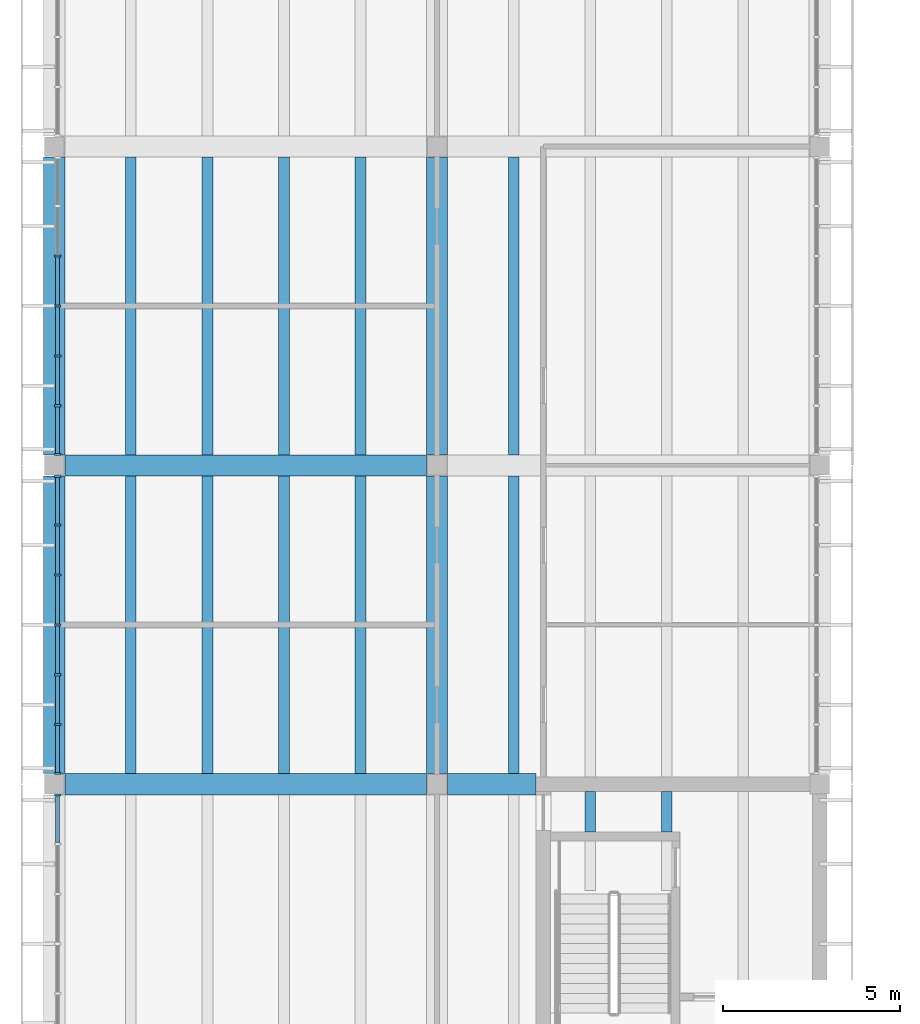
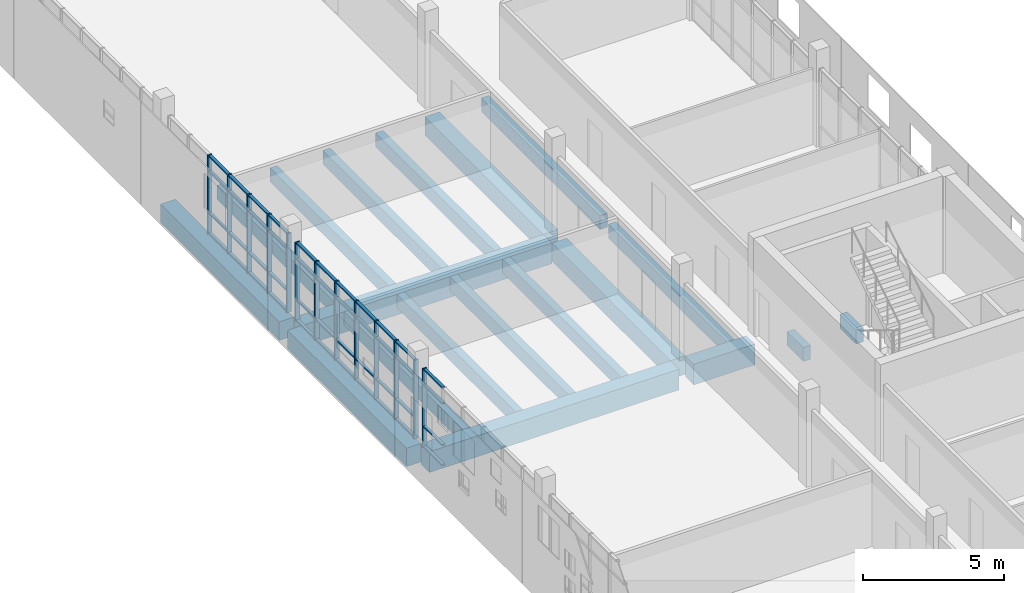
# One storey, part 17 of 74: 57 members, 19 beams, 3 elements without a shape of their own.
"""IFC4 building model written with IfcOpenShell, lengths in metres."""

from ifc_helpers import new_model, si_unit, direction, frame, origin, origin_2d, place, context, subcontext, project, spatial, rectangle, extrude, material, material_profile, profile_set, type_object, element, aggregate, save


model = new_model("IFC4")

# Units and contexts
model_context = context("Model", 3, precision=1e-05, world=origin(), true_north=direction((0.0, 1.0)))
body_context = subcontext(model_context, "Body", "Model", "MODEL_VIEW")
ifc_project = project(units=[si_unit("LENGTHUNIT", "METRE"), si_unit("AREAUNIT", "SQUARE_METRE"), si_unit("VOLUMEUNIT", "CUBIC_METRE"), si_unit("PLANEANGLEUNIT", "RADIAN"), si_unit("MASSUNIT", "GRAM", prefix="KILO")], contexts=[model_context])

# Site, building, storey
site_placement = place(None, origin())
site = spatial("IfcSite", under=ifc_project, at=site_placement, CompositionType="ELEMENT")
building_placement = place(site_placement, origin())
building = spatial("IfcBuilding", under=site, at=building_placement, Name="Merrow Basin Faculty of Sciences", CompositionType="ELEMENT")
storey_placement = place(building_placement, frame((0.0, 0.0, 13.5)))
storey = spatial("IfcBuildingStorey", under=building, at=storey_placement, Name="L03", CompositionType="ELEMENT", Elevation=13.5)

# Curtain wall, member
ifc_material_1 = material(Name="Aluminium alloy 6063", Category="aluminium")
curtain_wall_type = type_object("IfcCurtainWallType", Name="Bar unitised curtain wall 180", PredefinedType="NOTDEFINED", material=ifc_material_1)
curtain_wall_1_placement = place(storey_placement, origin())
curtain_wall_1 = element("IfcCurtainWall", 1, at=curtain_wall_1_placement, inside=storey, type_object=curtain_wall_type, Name="West curtain wall L03 3", PredefinedType="NOTDEFINED")
ifc_material_2 = material(Name="Aluminium alloy 6063", Category="aluminium")
ifc_material_profile_1 = material_profile(ifc_material_2, rectangle(XDim=0.179931640625, YDim=0.06005859375, at=origin_2d()))
ifc_profile_set_1 = profile_set([ifc_material_profile_1], Name="Aluminium alloy 6063")
member_type_1 = type_object("IfcMemberType", Name="Aluminium mullion 60x180", PredefinedType="MULLION", material=ifc_profile_set_1)
member_1_placement = place(storey_placement, frame((0.090087890625, 96.695068359375, 0.0), z_axis=(0.0, 0.0, 1.0), x_axis=(-1.0, 0.0, 0.0)))
member_1 = element("IfcMember", 2, at=member_1_placement, type_object=member_type_1, Name="CW1 mullion 7", PredefinedType="MULLION", context=body_context, shape_type="SweptSolid", body=[
    extrude(rectangle(XDim=0.179931640625, YDim=0.06005859375, at=origin_2d()), origin(), (0.0, 0.0, 1.0), 3.39990234375),
])

# Curtain wall, members
curtain_wall_2_placement = place(storey_placement, origin())
curtain_wall_2 = element("IfcCurtainWall", 3, at=curtain_wall_2_placement, inside=storey, type_object=curtain_wall_type, Name="West curtain wall L03 4", PredefinedType="NOTDEFINED")
member_2_placement = place(storey_placement, frame((0.090087890625, 97.304931640625, 0.0), z_axis=(0.0, 0.0, 1.0), x_axis=(-1.0, 0.0, 0.0)))
member_2 = element("IfcMember", 4, at=member_2_placement, type_object=member_type_1, Name="CW1 mullion 1", PredefinedType="MULLION", context=body_context, shape_type="SweptSolid", body=[
    extrude(rectangle(XDim=0.179931640625, YDim=0.06005859375, at=origin_2d()), origin(), (0.0, 0.0, 1.0), 3.39990234375),
])
member_3_placement = place(storey_placement, frame((0.090087890625, 98.683349609375, 0.0), z_axis=(0.0, 0.0, 1.0), x_axis=(-1.0, 0.0, 0.0)))
member_3 = element("IfcMember", 5, at=member_3_placement, type_object=member_type_1, Name="CW1 mullion 2", PredefinedType="MULLION", context=body_context, shape_type="SweptSolid", body=[
    extrude(rectangle(XDim=0.179931640625, YDim=0.06005859375, at=origin_2d()), origin(), (0.0, 0.0, 1.0), 3.39990234375),
])
member_4_placement = place(storey_placement, frame((0.090087890625, 100.091552734375, 0.0), z_axis=(0.0, 0.0, 1.0), x_axis=(-1.0, 0.0, 0.0)))
member_4 = element("IfcMember", 6, at=member_4_placement, type_object=member_type_1, Name="CW1 mullion 3", PredefinedType="MULLION", context=body_context, shape_type="SweptSolid", body=[
    extrude(rectangle(XDim=0.179931640625, YDim=0.06005859375, at=origin_2d()), origin(), (0.0, 0.0, 1.0), 3.39990234375),
])
member_5_placement = place(storey_placement, frame((0.090087890625, 101.5, 0.0), z_axis=(0.0, 0.0, 1.0), x_axis=(-1.0, 0.0, 0.0)))
member_5 = element("IfcMember", 7, at=member_5_placement, type_object=member_type_1, Name="CW1 mullion 4", PredefinedType="MULLION", context=body_context, shape_type="SweptSolid", body=[
    extrude(rectangle(XDim=0.179931640625, YDim=0.06005859375, at=origin_2d()), origin(), (0.0, 0.0, 1.0), 3.39990234375),
])
member_6_placement = place(storey_placement, frame((0.090087890625, 102.908447265625, 0.0), z_axis=(0.0, 0.0, 1.0), x_axis=(-1.0, 0.0, 0.0)))
member_6 = element("IfcMember", 8, at=member_6_placement, type_object=member_type_1, Name="CW1 mullion 5", PredefinedType="MULLION", context=body_context, shape_type="SweptSolid", body=[
    extrude(rectangle(XDim=0.179931640625, YDim=0.06005859375, at=origin_2d()), origin(), (0.0, 0.0, 1.0), 3.39990234375),
])
member_7_placement = place(storey_placement, frame((0.090087890625, 104.316650390625, 0.0), z_axis=(0.0, 0.0, 1.0), x_axis=(-1.0, 0.0, 0.0)))
member_7 = element("IfcMember", 9, at=member_7_placement, type_object=member_type_1, Name="CW1 mullion 6", PredefinedType="MULLION", context=body_context, shape_type="SweptSolid", body=[
    extrude(rectangle(XDim=0.179931640625, YDim=0.06005859375, at=origin_2d()), origin(), (0.0, 0.0, 1.0), 3.39990234375),
])
member_8_placement = place(storey_placement, frame((0.090087890625, 105.695068359375, 0.0), z_axis=(0.0, 0.0, 1.0), x_axis=(-1.0, 0.0, 0.0)))
member_8 = element("IfcMember", 10, at=member_8_placement, type_object=member_type_1, Name="CW1 mullion 7", PredefinedType="MULLION", context=body_context, shape_type="SweptSolid", body=[
    extrude(rectangle(XDim=0.179931640625, YDim=0.06005859375, at=origin_2d()), origin(), (0.0, 0.0, 1.0), 3.39990234375),
])

curtain_wall_3_placement = place(storey_placement, origin())
curtain_wall_3 = element("IfcCurtainWall", 11, at=curtain_wall_3_placement, inside=storey, type_object=curtain_wall_type, Name="West curtain wall L03 5", PredefinedType="NOTDEFINED")
member_9_placement = place(storey_placement, frame((0.090087890625, 106.304931640625, 0.0), z_axis=(0.0, 0.0, 1.0), x_axis=(-1.0, 0.0, 0.0)))
member_9 = element("IfcMember", 12, at=member_9_placement, type_object=member_type_1, Name="CW1 mullion 1", PredefinedType="MULLION", context=body_context, shape_type="SweptSolid", body=[
    extrude(rectangle(XDim=0.179931640625, YDim=0.06005859375, at=origin_2d()), origin(), (0.0, 0.0, 1.0), 3.39990234375),
])
member_10_placement = place(storey_placement, frame((0.090087890625, 107.683349609375, 0.0), z_axis=(0.0, 0.0, 1.0), x_axis=(-1.0, 0.0, 0.0)))
member_10 = element("IfcMember", 13, at=member_10_placement, type_object=member_type_1, Name="CW1 mullion 2", PredefinedType="MULLION", context=body_context, shape_type="SweptSolid", body=[
    extrude(rectangle(XDim=0.179931640625, YDim=0.06005859375, at=origin_2d()), origin(), (0.0, 0.0, 1.0), 3.39990234375),
])
member_11_placement = place(storey_placement, frame((0.090087890625, 109.091552734375, 0.0), z_axis=(0.0, 0.0, 1.0), x_axis=(-1.0, 0.0, 0.0)))
member_11 = element("IfcMember", 14, at=member_11_placement, type_object=member_type_1, Name="CW1 mullion 3", PredefinedType="MULLION", context=body_context, shape_type="SweptSolid", body=[
    extrude(rectangle(XDim=0.179931640625, YDim=0.06005859375, at=origin_2d()), origin(), (0.0, 0.0, 1.0), 3.39990234375),
])
member_12_placement = place(storey_placement, frame((0.090087890625, 110.5, 0.0), z_axis=(0.0, 0.0, 1.0), x_axis=(-1.0, 0.0, 0.0)))
member_12 = element("IfcMember", 15, at=member_12_placement, type_object=member_type_1, Name="CW1 mullion 4", PredefinedType="MULLION", context=body_context, shape_type="SweptSolid", body=[
    extrude(rectangle(XDim=0.179931640625, YDim=0.06005859375, at=origin_2d()), origin(), (0.0, 0.0, 1.0), 3.39990234375),
])
member_13_placement = place(storey_placement, frame((0.090087890625, 111.908447265625, 0.0), z_axis=(0.0, 0.0, 1.0), x_axis=(-1.0, 0.0, 0.0)))
member_13 = element("IfcMember", 16, at=member_13_placement, type_object=member_type_1, Name="CW1 mullion 5", PredefinedType="MULLION", context=body_context, shape_type="SweptSolid", body=[
    extrude(rectangle(XDim=0.179931640625, YDim=0.06005859375, at=origin_2d()), origin(), (0.0, 0.0, 1.0), 3.39990234375),
])

# Member
ifc_material_3 = material(Name="Aluminium alloy 6063", Category="aluminium")
ifc_material_profile_2 = material_profile(ifc_material_3, rectangle(XDim=0.1201171875, YDim=0.06005859375, at=origin_2d()))
ifc_profile_set_2 = profile_set([ifc_material_profile_2], Name="Aluminium alloy 6063")
member_type_2 = type_object("IfcMemberType", Name="Aluminium transom 60x120", PredefinedType="USERDEFINED", material=ifc_profile_set_2)
member_14_placement = place(storey_placement, frame((0.090087890625, 95.3466796875, 0.030029296875), z_axis=(0.0, 1.0, 0.0), x_axis=(-1.0, 0.0, 0.0)))
member_14 = element("IfcMember", 17, at=member_14_placement, type_object=member_type_2, Name="CW1 transom 6.1", ObjectType="TRANSOM", PredefinedType="USERDEFINED", context=body_context, shape_type="SweptSolid", body=[
    extrude(rectangle(XDim=0.1201171875, YDim=0.06005859375, at=origin_2d()), origin(), (0.0, 0.0, 1.0), 1.318359375),
])

member_15_placement = place(storey_placement, frame((0.090087890625, 95.3466796875, 0.89990234375), z_axis=(0.0, 1.0, 0.0), x_axis=(-1.0, 0.0, 0.0)))
member_15 = element("IfcMember", 18, at=member_15_placement, type_object=member_type_2, Name="CW1 transom 6.2", ObjectType="TRANSOM", PredefinedType="USERDEFINED", context=body_context, shape_type="SweptSolid", body=[
    extrude(rectangle(XDim=0.1201171875, YDim=0.06005859375, at=origin_2d()), origin(), (0.0, 0.0, 1.0), 1.318359375),
])

member_16_placement = place(storey_placement, frame((0.090087890625, 95.3466796875, 2.699951171875), z_axis=(0.0, 1.0, 0.0), x_axis=(-1.0, 0.0, 0.0)))
member_16 = element("IfcMember", 19, at=member_16_placement, type_object=member_type_2, Name="CW1 transom 6.3", ObjectType="TRANSOM", PredefinedType="USERDEFINED", context=body_context, shape_type="SweptSolid", body=[
    extrude(rectangle(XDim=0.1201171875, YDim=0.06005859375, at=origin_2d()), origin(), (0.0, 0.0, 1.0), 1.318359375),
])

member_17_placement = place(storey_placement, frame((0.090087890625, 95.3466796875, 3.3701171875), z_axis=(0.0, 1.0, 0.0), x_axis=(-1.0, 0.0, 0.0)))
member_17 = element("IfcMember", 20, at=member_17_placement, type_object=member_type_2, Name="CW1 transom 6.4", ObjectType="TRANSOM", PredefinedType="USERDEFINED", context=body_context, shape_type="SweptSolid", body=[
    extrude(rectangle(XDim=0.1201171875, YDim=0.06005859375, at=origin_2d()), origin(), (0.0, 0.0, 1.0), 1.318359375),
])

aggregate(curtain_wall_1, [member_1, member_14, member_15, member_16, member_17])

member_18_placement = place(storey_placement, frame((0.090087890625, 97.3349609375, 0.030029296875), z_axis=(0.0, 1.0, 0.0), x_axis=(-1.0, 0.0, 0.0)))
member_18 = element("IfcMember", 21, at=member_18_placement, type_object=member_type_2, Name="CW1 transom 1.1", ObjectType="TRANSOM", PredefinedType="USERDEFINED", context=body_context, shape_type="SweptSolid", body=[
    extrude(rectangle(XDim=0.1201171875, YDim=0.06005859375, at=origin_2d()), origin(), (0.0, 0.0, 1.0), 1.318359375),
])

member_19_placement = place(storey_placement, frame((0.090087890625, 97.3349609375, 0.89990234375), z_axis=(0.0, 1.0, 0.0), x_axis=(-1.0, 0.0, 0.0)))
member_19 = element("IfcMember", 22, at=member_19_placement, type_object=member_type_2, Name="CW1 transom 1.2", ObjectType="TRANSOM", PredefinedType="USERDEFINED", context=body_context, shape_type="SweptSolid", body=[
    extrude(rectangle(XDim=0.1201171875, YDim=0.06005859375, at=origin_2d()), origin(), (0.0, 0.0, 1.0), 1.318359375),
])

member_20_placement = place(storey_placement, frame((0.090087890625, 97.3349609375, 2.699951171875), z_axis=(0.0, 1.0, 0.0), x_axis=(-1.0, 0.0, 0.0)))
member_20 = element("IfcMember", 23, at=member_20_placement, type_object=member_type_2, Name="CW1 transom 1.3", ObjectType="TRANSOM", PredefinedType="USERDEFINED", context=body_context, shape_type="SweptSolid", body=[
    extrude(rectangle(XDim=0.1201171875, YDim=0.06005859375, at=origin_2d()), origin(), (0.0, 0.0, 1.0), 1.318359375),
])

member_21_placement = place(storey_placement, frame((0.090087890625, 97.3349609375, 3.3701171875), z_axis=(0.0, 1.0, 0.0), x_axis=(-1.0, 0.0, 0.0)))
member_21 = element("IfcMember", 24, at=member_21_placement, type_object=member_type_2, Name="CW1 transom 1.4", ObjectType="TRANSOM", PredefinedType="USERDEFINED", context=body_context, shape_type="SweptSolid", body=[
    extrude(rectangle(XDim=0.1201171875, YDim=0.06005859375, at=origin_2d()), origin(), (0.0, 0.0, 1.0), 1.318359375),
])

member_22_placement = place(storey_placement, frame((0.090087890625, 98.71337890625, 0.030029296875), z_axis=(0.0, 1.0, 0.0), x_axis=(-1.0, 0.0, 0.0)))
member_22 = element("IfcMember", 25, at=member_22_placement, type_object=member_type_2, Name="CW1 transom 2.1", ObjectType="TRANSOM", PredefinedType="USERDEFINED", context=body_context, shape_type="SweptSolid", body=[
    extrude(rectangle(XDim=0.1201171875, YDim=0.06005859375, at=origin_2d()), origin(), (0.0, 0.0, 1.0), 1.348388671875),
])

member_23_placement = place(storey_placement, frame((0.090087890625, 98.71337890625, 0.89990234375), z_axis=(0.0, 1.0, 0.0), x_axis=(-1.0, 0.0, 0.0)))
member_23 = element("IfcMember", 26, at=member_23_placement, type_object=member_type_2, Name="CW1 transom 2.2", ObjectType="TRANSOM", PredefinedType="USERDEFINED", context=body_context, shape_type="SweptSolid", body=[
    extrude(rectangle(XDim=0.1201171875, YDim=0.06005859375, at=origin_2d()), origin(), (0.0, 0.0, 1.0), 1.348388671875),
])

member_24_placement = place(storey_placement, frame((0.090087890625, 98.71337890625, 2.699951171875), z_axis=(0.0, 1.0, 0.0), x_axis=(-1.0, 0.0, 0.0)))
member_24 = element("IfcMember", 27, at=member_24_placement, type_object=member_type_2, Name="CW1 transom 2.3", ObjectType="TRANSOM", PredefinedType="USERDEFINED", context=body_context, shape_type="SweptSolid", body=[
    extrude(rectangle(XDim=0.1201171875, YDim=0.06005859375, at=origin_2d()), origin(), (0.0, 0.0, 1.0), 1.348388671875),
])

member_25_placement = place(storey_placement, frame((0.090087890625, 98.71337890625, 3.3701171875), z_axis=(0.0, 1.0, 0.0), x_axis=(-1.0, 0.0, 0.0)))
member_25 = element("IfcMember", 28, at=member_25_placement, type_object=member_type_2, Name="CW1 transom 2.4", ObjectType="TRANSOM", PredefinedType="USERDEFINED", context=body_context, shape_type="SweptSolid", body=[
    extrude(rectangle(XDim=0.1201171875, YDim=0.06005859375, at=origin_2d()), origin(), (0.0, 0.0, 1.0), 1.348388671875),
])

member_26_placement = place(storey_placement, frame((0.090087890625, 100.12158203125, 0.030029296875), z_axis=(0.0, 1.0, 0.0), x_axis=(-1.0, 0.0, 0.0)))
member_26 = element("IfcMember", 29, at=member_26_placement, type_object=member_type_2, Name="CW1 transom 3.1", ObjectType="TRANSOM", PredefinedType="USERDEFINED", context=body_context, shape_type="SweptSolid", body=[
    extrude(rectangle(XDim=0.1201171875, YDim=0.06005859375, at=origin_2d()), origin(), (0.0, 0.0, 1.0), 1.348388671875),
])

member_27_placement = place(storey_placement, frame((0.090087890625, 100.12158203125, 0.89990234375), z_axis=(0.0, 1.0, 0.0), x_axis=(-1.0, 0.0, 0.0)))
member_27 = element("IfcMember", 30, at=member_27_placement, type_object=member_type_2, Name="CW1 transom 3.2", ObjectType="TRANSOM", PredefinedType="USERDEFINED", context=body_context, shape_type="SweptSolid", body=[
    extrude(rectangle(XDim=0.1201171875, YDim=0.06005859375, at=origin_2d()), origin(), (0.0, 0.0, 1.0), 1.348388671875),
])

member_28_placement = place(storey_placement, frame((0.090087890625, 100.12158203125, 2.699951171875), z_axis=(0.0, 1.0, 0.0), x_axis=(-1.0, 0.0, 0.0)))
member_28 = element("IfcMember", 31, at=member_28_placement, type_object=member_type_2, Name="CW1 transom 3.3", ObjectType="TRANSOM", PredefinedType="USERDEFINED", context=body_context, shape_type="SweptSolid", body=[
    extrude(rectangle(XDim=0.1201171875, YDim=0.06005859375, at=origin_2d()), origin(), (0.0, 0.0, 1.0), 1.348388671875),
])

member_29_placement = place(storey_placement, frame((0.090087890625, 100.12158203125, 3.3701171875), z_axis=(0.0, 1.0, 0.0), x_axis=(-1.0, 0.0, 0.0)))
member_29 = element("IfcMember", 32, at=member_29_placement, type_object=member_type_2, Name="CW1 transom 3.4", ObjectType="TRANSOM", PredefinedType="USERDEFINED", context=body_context, shape_type="SweptSolid", body=[
    extrude(rectangle(XDim=0.1201171875, YDim=0.06005859375, at=origin_2d()), origin(), (0.0, 0.0, 1.0), 1.348388671875),
])

member_30_placement = place(storey_placement, frame((0.090087890625, 101.530029296875, 0.030029296875), z_axis=(0.0, 1.0, 0.0), x_axis=(-1.0, 0.0, 0.0)))
member_30 = element("IfcMember", 33, at=member_30_placement, type_object=member_type_2, Name="CW1 transom 4.1", ObjectType="TRANSOM", PredefinedType="USERDEFINED", context=body_context, shape_type="SweptSolid", body=[
    extrude(rectangle(XDim=0.1201171875, YDim=0.06005859375, at=origin_2d()), origin(), (0.0, 0.0, 1.0), 1.348388671875),
])

member_31_placement = place(storey_placement, frame((0.090087890625, 101.530029296875, 0.89990234375), z_axis=(0.0, 1.0, 0.0), x_axis=(-1.0, 0.0, 0.0)))
member_31 = element("IfcMember", 34, at=member_31_placement, type_object=member_type_2, Name="CW1 transom 4.2", ObjectType="TRANSOM", PredefinedType="USERDEFINED", context=body_context, shape_type="SweptSolid", body=[
    extrude(rectangle(XDim=0.1201171875, YDim=0.06005859375, at=origin_2d()), origin(), (0.0, 0.0, 1.0), 1.348388671875),
])

member_32_placement = place(storey_placement, frame((0.090087890625, 101.530029296875, 2.699951171875), z_axis=(0.0, 1.0, 0.0), x_axis=(-1.0, 0.0, 0.0)))
member_32 = element("IfcMember", 35, at=member_32_placement, type_object=member_type_2, Name="CW1 transom 4.3", ObjectType="TRANSOM", PredefinedType="USERDEFINED", context=body_context, shape_type="SweptSolid", body=[
    extrude(rectangle(XDim=0.1201171875, YDim=0.06005859375, at=origin_2d()), origin(), (0.0, 0.0, 1.0), 1.348388671875),
])

member_33_placement = place(storey_placement, frame((0.090087890625, 101.530029296875, 3.3701171875), z_axis=(0.0, 1.0, 0.0), x_axis=(-1.0, 0.0, 0.0)))
member_33 = element("IfcMember", 36, at=member_33_placement, type_object=member_type_2, Name="CW1 transom 4.4", ObjectType="TRANSOM", PredefinedType="USERDEFINED", context=body_context, shape_type="SweptSolid", body=[
    extrude(rectangle(XDim=0.1201171875, YDim=0.06005859375, at=origin_2d()), origin(), (0.0, 0.0, 1.0), 1.348388671875),
])

member_34_placement = place(storey_placement, frame((0.090087890625, 102.938232421875, 0.030029296875), z_axis=(0.0, 1.0, 0.0), x_axis=(-1.0, 0.0, 0.0)))
member_34 = element("IfcMember", 37, at=member_34_placement, type_object=member_type_2, Name="CW1 transom 5.1", ObjectType="TRANSOM", PredefinedType="USERDEFINED", context=body_context, shape_type="SweptSolid", body=[
    extrude(rectangle(XDim=0.1201171875, YDim=0.06005859375, at=origin_2d()), origin(), (0.0, 0.0, 1.0), 1.348388671875),
])

member_35_placement = place(storey_placement, frame((0.090087890625, 102.938232421875, 0.89990234375), z_axis=(0.0, 1.0, 0.0), x_axis=(-1.0, 0.0, 0.0)))
member_35 = element("IfcMember", 38, at=member_35_placement, type_object=member_type_2, Name="CW1 transom 5.2", ObjectType="TRANSOM", PredefinedType="USERDEFINED", context=body_context, shape_type="SweptSolid", body=[
    extrude(rectangle(XDim=0.1201171875, YDim=0.06005859375, at=origin_2d()), origin(), (0.0, 0.0, 1.0), 1.348388671875),
])

member_36_placement = place(storey_placement, frame((0.090087890625, 102.938232421875, 2.699951171875), z_axis=(0.0, 1.0, 0.0), x_axis=(-1.0, 0.0, 0.0)))
member_36 = element("IfcMember", 39, at=member_36_placement, type_object=member_type_2, Name="CW1 transom 5.3", ObjectType="TRANSOM", PredefinedType="USERDEFINED", context=body_context, shape_type="SweptSolid", body=[
    extrude(rectangle(XDim=0.1201171875, YDim=0.06005859375, at=origin_2d()), origin(), (0.0, 0.0, 1.0), 1.348388671875),
])

member_37_placement = place(storey_placement, frame((0.090087890625, 102.938232421875, 3.3701171875), z_axis=(0.0, 1.0, 0.0), x_axis=(-1.0, 0.0, 0.0)))
member_37 = element("IfcMember", 40, at=member_37_placement, type_object=member_type_2, Name="CW1 transom 5.4", ObjectType="TRANSOM", PredefinedType="USERDEFINED", context=body_context, shape_type="SweptSolid", body=[
    extrude(rectangle(XDim=0.1201171875, YDim=0.06005859375, at=origin_2d()), origin(), (0.0, 0.0, 1.0), 1.348388671875),
])

member_38_placement = place(storey_placement, frame((0.090087890625, 104.3466796875, 0.030029296875), z_axis=(0.0, 1.0, 0.0), x_axis=(-1.0, 0.0, 0.0)))
member_38 = element("IfcMember", 41, at=member_38_placement, type_object=member_type_2, Name="CW1 transom 6.1", ObjectType="TRANSOM", PredefinedType="USERDEFINED", context=body_context, shape_type="SweptSolid", body=[
    extrude(rectangle(XDim=0.1201171875, YDim=0.06005859375, at=origin_2d()), origin(), (0.0, 0.0, 1.0), 1.318359375),
])

member_39_placement = place(storey_placement, frame((0.090087890625, 104.3466796875, 0.89990234375), z_axis=(0.0, 1.0, 0.0), x_axis=(-1.0, 0.0, 0.0)))
member_39 = element("IfcMember", 42, at=member_39_placement, type_object=member_type_2, Name="CW1 transom 6.2", ObjectType="TRANSOM", PredefinedType="USERDEFINED", context=body_context, shape_type="SweptSolid", body=[
    extrude(rectangle(XDim=0.1201171875, YDim=0.06005859375, at=origin_2d()), origin(), (0.0, 0.0, 1.0), 1.318359375),
])

member_40_placement = place(storey_placement, frame((0.090087890625, 104.3466796875, 2.699951171875), z_axis=(0.0, 1.0, 0.0), x_axis=(-1.0, 0.0, 0.0)))
member_40 = element("IfcMember", 43, at=member_40_placement, type_object=member_type_2, Name="CW1 transom 6.3", ObjectType="TRANSOM", PredefinedType="USERDEFINED", context=body_context, shape_type="SweptSolid", body=[
    extrude(rectangle(XDim=0.1201171875, YDim=0.06005859375, at=origin_2d()), origin(), (0.0, 0.0, 1.0), 1.318359375),
])

member_41_placement = place(storey_placement, frame((0.090087890625, 104.3466796875, 3.3701171875), z_axis=(0.0, 1.0, 0.0), x_axis=(-1.0, 0.0, 0.0)))
member_41 = element("IfcMember", 44, at=member_41_placement, type_object=member_type_2, Name="CW1 transom 6.4", ObjectType="TRANSOM", PredefinedType="USERDEFINED", context=body_context, shape_type="SweptSolid", body=[
    extrude(rectangle(XDim=0.1201171875, YDim=0.06005859375, at=origin_2d()), origin(), (0.0, 0.0, 1.0), 1.318359375),
])

aggregate(curtain_wall_2, [member_2, member_3, member_4, member_5, member_6, member_7, member_8, member_18, member_19, member_20, member_21, member_22, member_23, member_24, member_25, member_26, member_27, member_28, member_29, member_30, member_31, member_32, member_33, member_34, member_35, member_36, member_37, member_38, member_39, member_40, member_41])

member_42_placement = place(storey_placement, frame((0.090087890625, 106.3349609375, 0.030029296875), z_axis=(0.0, 1.0, 0.0), x_axis=(-1.0, 0.0, 0.0)))
member_42 = element("IfcMember", 45, at=member_42_placement, type_object=member_type_2, Name="CW1 transom 1.1", ObjectType="TRANSOM", PredefinedType="USERDEFINED", context=body_context, shape_type="SweptSolid", body=[
    extrude(rectangle(XDim=0.1201171875, YDim=0.06005859375, at=origin_2d()), origin(), (0.0, 0.0, 1.0), 1.318359375),
])

member_43_placement = place(storey_placement, frame((0.090087890625, 106.3349609375, 0.89990234375), z_axis=(0.0, 1.0, 0.0), x_axis=(-1.0, 0.0, 0.0)))
member_43 = element("IfcMember", 46, at=member_43_placement, type_object=member_type_2, Name="CW1 transom 1.2", ObjectType="TRANSOM", PredefinedType="USERDEFINED", context=body_context, shape_type="SweptSolid", body=[
    extrude(rectangle(XDim=0.1201171875, YDim=0.06005859375, at=origin_2d()), origin(), (0.0, 0.0, 1.0), 1.318359375),
])

member_44_placement = place(storey_placement, frame((0.090087890625, 106.3349609375, 2.699951171875), z_axis=(0.0, 1.0, 0.0), x_axis=(-1.0, 0.0, 0.0)))
member_44 = element("IfcMember", 47, at=member_44_placement, type_object=member_type_2, Name="CW1 transom 1.3", ObjectType="TRANSOM", PredefinedType="USERDEFINED", context=body_context, shape_type="SweptSolid", body=[
    extrude(rectangle(XDim=0.1201171875, YDim=0.06005859375, at=origin_2d()), origin(), (0.0, 0.0, 1.0), 1.318359375),
])

member_45_placement = place(storey_placement, frame((0.090087890625, 106.3349609375, 3.3701171875), z_axis=(0.0, 1.0, 0.0), x_axis=(-1.0, 0.0, 0.0)))
member_45 = element("IfcMember", 48, at=member_45_placement, type_object=member_type_2, Name="CW1 transom 1.4", ObjectType="TRANSOM", PredefinedType="USERDEFINED", context=body_context, shape_type="SweptSolid", body=[
    extrude(rectangle(XDim=0.1201171875, YDim=0.06005859375, at=origin_2d()), origin(), (0.0, 0.0, 1.0), 1.318359375),
])

member_46_placement = place(storey_placement, frame((0.090087890625, 107.71337890625, 0.030029296875), z_axis=(0.0, 1.0, 0.0), x_axis=(-1.0, 0.0, 0.0)))
member_46 = element("IfcMember", 49, at=member_46_placement, type_object=member_type_2, Name="CW1 transom 2.1", ObjectType="TRANSOM", PredefinedType="USERDEFINED", context=body_context, shape_type="SweptSolid", body=[
    extrude(rectangle(XDim=0.1201171875, YDim=0.06005859375, at=origin_2d()), origin(), (0.0, 0.0, 1.0), 1.348388671875),
])

member_47_placement = place(storey_placement, frame((0.090087890625, 107.71337890625, 0.89990234375), z_axis=(0.0, 1.0, 0.0), x_axis=(-1.0, 0.0, 0.0)))
member_47 = element("IfcMember", 50, at=member_47_placement, type_object=member_type_2, Name="CW1 transom 2.2", ObjectType="TRANSOM", PredefinedType="USERDEFINED", context=body_context, shape_type="SweptSolid", body=[
    extrude(rectangle(XDim=0.1201171875, YDim=0.06005859375, at=origin_2d()), origin(), (0.0, 0.0, 1.0), 1.348388671875),
])

member_48_placement = place(storey_placement, frame((0.090087890625, 107.71337890625, 2.699951171875), z_axis=(0.0, 1.0, 0.0), x_axis=(-1.0, 0.0, 0.0)))
member_48 = element("IfcMember", 51, at=member_48_placement, type_object=member_type_2, Name="CW1 transom 2.3", ObjectType="TRANSOM", PredefinedType="USERDEFINED", context=body_context, shape_type="SweptSolid", body=[
    extrude(rectangle(XDim=0.1201171875, YDim=0.06005859375, at=origin_2d()), origin(), (0.0, 0.0, 1.0), 1.348388671875),
])

member_49_placement = place(storey_placement, frame((0.090087890625, 107.71337890625, 3.3701171875), z_axis=(0.0, 1.0, 0.0), x_axis=(-1.0, 0.0, 0.0)))
member_49 = element("IfcMember", 52, at=member_49_placement, type_object=member_type_2, Name="CW1 transom 2.4", ObjectType="TRANSOM", PredefinedType="USERDEFINED", context=body_context, shape_type="SweptSolid", body=[
    extrude(rectangle(XDim=0.1201171875, YDim=0.06005859375, at=origin_2d()), origin(), (0.0, 0.0, 1.0), 1.348388671875),
])

member_50_placement = place(storey_placement, frame((0.090087890625, 109.12158203125, 0.030029296875), z_axis=(0.0, 1.0, 0.0), x_axis=(-1.0, 0.0, 0.0)))
member_50 = element("IfcMember", 53, at=member_50_placement, type_object=member_type_2, Name="CW1 transom 3.1", ObjectType="TRANSOM", PredefinedType="USERDEFINED", context=body_context, shape_type="SweptSolid", body=[
    extrude(rectangle(XDim=0.1201171875, YDim=0.06005859375, at=origin_2d()), origin(), (0.0, 0.0, 1.0), 1.348388671875),
])

member_51_placement = place(storey_placement, frame((0.090087890625, 109.12158203125, 0.89990234375), z_axis=(0.0, 1.0, 0.0), x_axis=(-1.0, 0.0, 0.0)))
member_51 = element("IfcMember", 54, at=member_51_placement, type_object=member_type_2, Name="CW1 transom 3.2", ObjectType="TRANSOM", PredefinedType="USERDEFINED", context=body_context, shape_type="SweptSolid", body=[
    extrude(rectangle(XDim=0.1201171875, YDim=0.06005859375, at=origin_2d()), origin(), (0.0, 0.0, 1.0), 1.348388671875),
])

member_52_placement = place(storey_placement, frame((0.090087890625, 109.12158203125, 2.699951171875), z_axis=(0.0, 1.0, 0.0), x_axis=(-1.0, 0.0, 0.0)))
member_52 = element("IfcMember", 55, at=member_52_placement, type_object=member_type_2, Name="CW1 transom 3.3", ObjectType="TRANSOM", PredefinedType="USERDEFINED", context=body_context, shape_type="SweptSolid", body=[
    extrude(rectangle(XDim=0.1201171875, YDim=0.06005859375, at=origin_2d()), origin(), (0.0, 0.0, 1.0), 1.348388671875),
])

member_53_placement = place(storey_placement, frame((0.090087890625, 109.12158203125, 3.3701171875), z_axis=(0.0, 1.0, 0.0), x_axis=(-1.0, 0.0, 0.0)))
member_53 = element("IfcMember", 56, at=member_53_placement, type_object=member_type_2, Name="CW1 transom 3.4", ObjectType="TRANSOM", PredefinedType="USERDEFINED", context=body_context, shape_type="SweptSolid", body=[
    extrude(rectangle(XDim=0.1201171875, YDim=0.06005859375, at=origin_2d()), origin(), (0.0, 0.0, 1.0), 1.348388671875),
])

member_54_placement = place(storey_placement, frame((0.090087890625, 110.530029296875, 0.030029296875), z_axis=(0.0, 1.0, 0.0), x_axis=(-1.0, 0.0, 0.0)))
member_54 = element("IfcMember", 57, at=member_54_placement, type_object=member_type_2, Name="CW1 transom 4.1", ObjectType="TRANSOM", PredefinedType="USERDEFINED", context=body_context, shape_type="SweptSolid", body=[
    extrude(rectangle(XDim=0.1201171875, YDim=0.06005859375, at=origin_2d()), origin(), (0.0, 0.0, 1.0), 1.348388671875),
])

member_55_placement = place(storey_placement, frame((0.090087890625, 110.530029296875, 0.89990234375), z_axis=(0.0, 1.0, 0.0), x_axis=(-1.0, 0.0, 0.0)))
member_55 = element("IfcMember", 58, at=member_55_placement, type_object=member_type_2, Name="CW1 transom 4.2", ObjectType="TRANSOM", PredefinedType="USERDEFINED", context=body_context, shape_type="SweptSolid", body=[
    extrude(rectangle(XDim=0.1201171875, YDim=0.06005859375, at=origin_2d()), origin(), (0.0, 0.0, 1.0), 1.348388671875),
])

member_56_placement = place(storey_placement, frame((0.090087890625, 110.530029296875, 2.699951171875), z_axis=(0.0, 1.0, 0.0), x_axis=(-1.0, 0.0, 0.0)))
member_56 = element("IfcMember", 59, at=member_56_placement, type_object=member_type_2, Name="CW1 transom 4.3", ObjectType="TRANSOM", PredefinedType="USERDEFINED", context=body_context, shape_type="SweptSolid", body=[
    extrude(rectangle(XDim=0.1201171875, YDim=0.06005859375, at=origin_2d()), origin(), (0.0, 0.0, 1.0), 1.348388671875),
])

member_57_placement = place(storey_placement, frame((0.090087890625, 110.530029296875, 3.3701171875), z_axis=(0.0, 1.0, 0.0), x_axis=(-1.0, 0.0, 0.0)))
member_57 = element("IfcMember", 60, at=member_57_placement, type_object=member_type_2, Name="CW1 transom 4.4", ObjectType="TRANSOM", PredefinedType="USERDEFINED", context=body_context, shape_type="SweptSolid", body=[
    extrude(rectangle(XDim=0.1201171875, YDim=0.06005859375, at=origin_2d()), origin(), (0.0, 0.0, 1.0), 1.348388671875),
])

aggregate(curtain_wall_3, [member_9, member_10, member_11, member_12, member_13, member_42, member_43, member_44, member_45, member_46, member_47, member_48, member_49, member_50, member_51, member_52, member_53, member_54, member_55, member_56, member_57])

# Beams
ifc_material_4 = material(Name="Concrete C40/50", Category="concrete")
ifc_material_profile_3 = material_profile(ifc_material_4, rectangle(XDim=0.60009765625, YDim=0.800048828125, at=origin_2d()))
ifc_profile_set_3 = profile_set([ifc_material_profile_3], Name="Concrete C40/50")
beam_type_1 = type_object("IfcBeamType", Name="Beam RC600x800 C40/50", PredefinedType="BEAM", material=ifc_profile_set_3)
for number, where, z_axis, x_axis, name in (
    (61, (0.0, 97.300048828125, -0.699951171875), (0.0, 1.0, 0.0), (-1.0, 0.0, 0.0), "B2 L03 018"),
    (62, (0.0, 106.300048828125, -0.699951171875), (0.0, 1.0, 0.0), (-1.0, 0.0, 0.0), "B2 L03 019"),
    (63, (10.800048828125, 97.300048828125, -0.699951171875), (0.0, 1.0, 0.0), (-1.0, 0.0, 0.0), "B2 L03 025"),
    (64, (10.800048828125, 106.300048828125, -0.699951171875), (0.0, 1.0, 0.0), (-1.0, 0.0, 0.0), "B2 L03 026"),
):
    element("IfcBeam", number, at=place(storey_placement, frame(where, z_axis=z_axis, x_axis=x_axis)), inside=storey, type_object=beam_type_1, Name=name, PredefinedType="BEAM", context=body_context, shape_type="SweptSolid", body=[
        extrude(rectangle(XDim=0.60009765625, YDim=0.800048828125, at=origin_2d()), origin(), (0.0, 0.0, 1.0), 8.39990234375),
    ])
ifc_material_5 = material(Name="Concrete C40/50", Category="concrete")
ifc_material_profile_4 = material_profile(ifc_material_5, rectangle(XDim=0.60009765625, YDim=0.89990234375, at=origin_2d()))
ifc_profile_set_4 = profile_set([ifc_material_profile_4], Name="Concrete C40/50")
beam_type_2 = type_object("IfcBeamType", Name="Beam RC600x900 C40/50", PredefinedType="BEAM", material=ifc_profile_set_4)
beam_1_placement = place(storey_placement, frame((0.300048828125, 97.0, -0.75), z_axis=(1.0, 0.0, 0.0), x_axis=(0.0, 1.0, 0.0)))
element("IfcBeam", 65, at=beam_1_placement, inside=storey, type_object=beam_type_2, Name="B1 L03 007", PredefinedType="BEAM", context=body_context, shape_type="SweptSolid", body=[
    extrude(rectangle(XDim=0.60009765625, YDim=0.89990234375, at=origin_2d()), origin(), (0.0, 0.0, 1.0), 10.199951171875),
])
beam_2_placement = place(storey_placement, frame((11.10009765625, 97.0, -0.75), z_axis=(1.0, 0.0, 0.0), x_axis=(0.0, 1.0, 0.0)))
element("IfcBeam", 66, at=beam_2_placement, inside=storey, type_object=beam_type_2, Name="B1 L03 008", PredefinedType="BEAM", context=body_context, shape_type="SweptSolid", body=[
    extrude(rectangle(XDim=0.60009765625, YDim=0.89990234375, at=origin_2d()), origin(), (0.0, 0.0, 1.0), 2.5),
])
beam_3_placement = place(storey_placement, frame((0.300048828125, 106.0, -0.75), z_axis=(1.0, 0.0, 0.0), x_axis=(0.0, 1.0, 0.0)))
element("IfcBeam", 67, at=beam_3_placement, inside=storey, type_object=beam_type_2, Name="B1 L03 009", PredefinedType="BEAM", context=body_context, shape_type="SweptSolid", body=[
    extrude(rectangle(XDim=0.60009765625, YDim=0.89990234375, at=origin_2d()), origin(), (0.0, 0.0, 1.0), 10.199951171875),
])
ifc_material_6 = material(Name="Concrete C40/50", Category="concrete")
ifc_material_profile_5 = material_profile(ifc_material_6, rectangle(XDim=0.300048828125, YDim=0.60009765625, at=origin_2d()))
ifc_profile_set_5 = profile_set([ifc_material_profile_5], Name="Concrete C40/50")
beam_type_3 = type_object("IfcBeamType", Name="Laboratory floor joist RC300x600 C40/50", PredefinedType="BEAM", material=ifc_profile_set_5)
for number, where, z_axis, x_axis, name in (
    (68, (2.159912109375, 97.300048828125, -0.60009765625), (0.0, 1.0, 0.0), (-1.0, 0.0, 0.0), "JL1 L03 051"),
    (69, (4.320068359375, 97.300048828125, -0.60009765625), (0.0, 1.0, 0.0), (-1.0, 0.0, 0.0), "JL1 L03 052"),
    (70, (6.47998046875, 97.300048828125, -0.60009765625), (0.0, 1.0, 0.0), (-1.0, 0.0, 0.0), "JL1 L03 053"),
    (71, (8.639892578125, 97.300048828125, -0.60009765625), (0.0, 1.0, 0.0), (-1.0, 0.0, 0.0), "JL1 L03 054"),
    (72, (2.159912109375, 106.300048828125, -0.60009765625), (0.0, 1.0, 0.0), (-1.0, 0.0, 0.0), "JL1 L03 055"),
    (73, (4.320068359375, 106.300048828125, -0.60009765625), (0.0, 1.0, 0.0), (-1.0, 0.0, 0.0), "JL1 L03 056"),
    (74, (6.47998046875, 106.300048828125, -0.60009765625), (0.0, 1.0, 0.0), (-1.0, 0.0, 0.0), "JL1 L03 057"),
    (75, (8.639892578125, 106.300048828125, -0.60009765625), (0.0, 1.0, 0.0), (-1.0, 0.0, 0.0), "JL1 L03 058"),
):
    element("IfcBeam", number, at=place(storey_placement, frame(where, z_axis=z_axis, x_axis=x_axis)), inside=storey, type_object=beam_type_3, Name=name, PredefinedType="BEAM", context=body_context, shape_type="SweptSolid", body=[
        extrude(rectangle(XDim=0.300048828125, YDim=0.60009765625, at=origin_2d()), origin(), (0.0, 0.0, 1.0), 8.39990234375),
    ])
for number, where, z_axis, x_axis, name in (
    (76, (15.1201171875, 95.64990234375, -0.60009765625), (0.0, 1.0, 0.0), (-1.0, 0.0, 0.0), "JL1 L03 081"),
    (77, (17.280029296875, 95.64990234375, -0.60009765625), (0.0, 1.0, 0.0), (-1.0, 0.0, 0.0), "JL1 L03 083"),
):
    element("IfcBeam", number, at=place(storey_placement, frame(where, z_axis=z_axis, x_axis=x_axis)), inside=storey, type_object=beam_type_3, Name=name, PredefinedType="BEAM", context=body_context, shape_type="SweptSolid", body=[
        extrude(rectangle(XDim=0.300048828125, YDim=0.60009765625, at=origin_2d()), origin(), (0.0, 0.0, 1.0), 1.150146484375),
    ])
for number, where, z_axis, x_axis, name in (
    (78, (12.9599609375, 97.300048828125, -0.60009765625), (0.0, 1.0, 0.0), (-1.0, 0.0, 0.0), "JL1 L03 085"),
    (79, (12.9599609375, 106.300048828125, -0.60009765625), (0.0, 1.0, 0.0), (-1.0, 0.0, 0.0), "JL1 L03 089"),
):
    element("IfcBeam", number, at=place(storey_placement, frame(where, z_axis=z_axis, x_axis=x_axis)), inside=storey, type_object=beam_type_3, Name=name, PredefinedType="BEAM", context=body_context, shape_type="SweptSolid", body=[
        extrude(rectangle(XDim=0.300048828125, YDim=0.60009765625, at=origin_2d()), origin(), (0.0, 0.0, 1.0), 8.39990234375),
    ])

save(model, "model.ifc")
